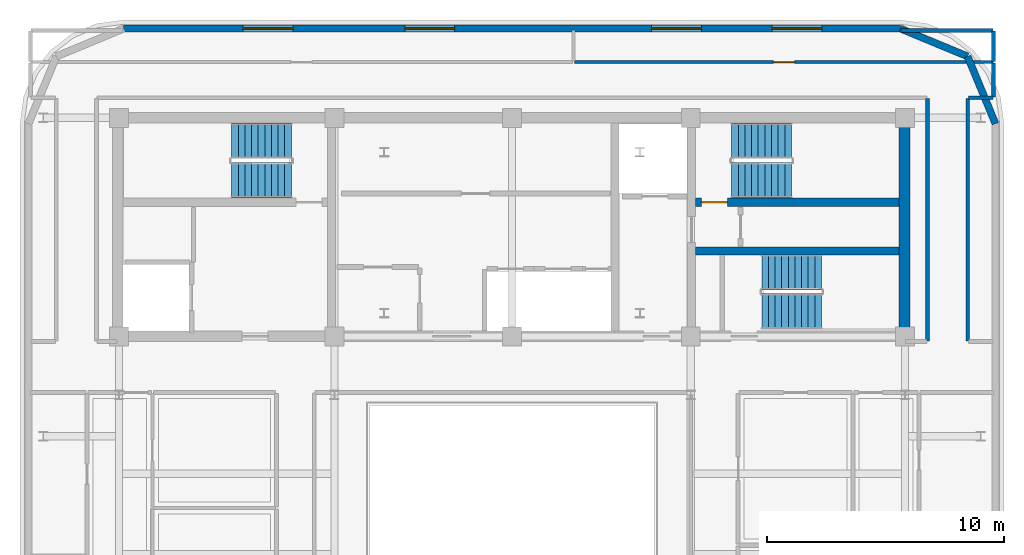
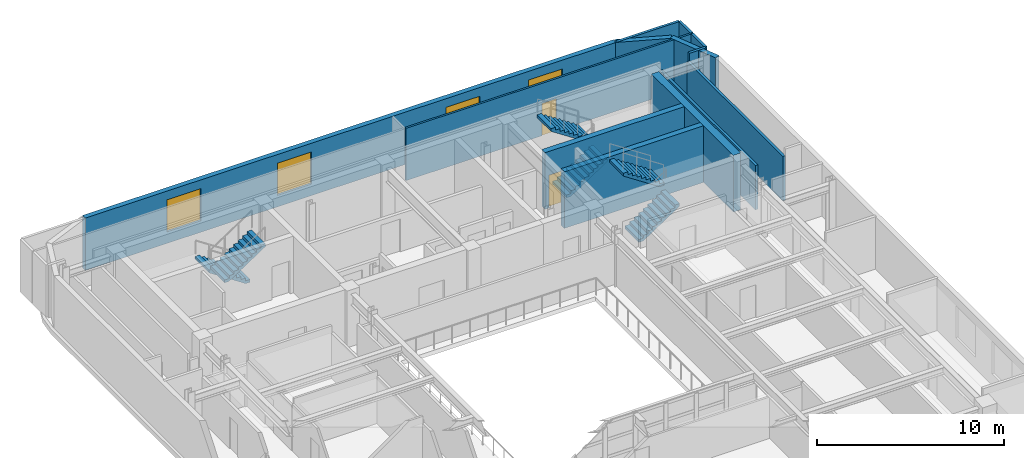
# One storey, part 9 of 12: 13 walls, 6 stair flights, 4 windows, 2 doors, 6 openings, 3 elements without a shape of their own.
"""IFC4 building model written with IfcOpenShell, lengths in metres."""

from ifc_helpers import new_model, si_unit, direction, frame, frame_2d, origin, place, context, subcontext, project, spatial, polyline, rectangle, outline, extrude, material, layer, layer_set, type_object, element, fill, aggregate, save


model = new_model("IFC4")

# Units and contexts
model_context = context("Model", 3, precision=1e-05, world=origin(), true_north=direction((0.0, 1.0)))
body_context = subcontext(model_context, "Body", "Model", "MODEL_VIEW")
ifc_project = project(units=[si_unit("LENGTHUNIT", "METRE"), si_unit("AREAUNIT", "SQUARE_METRE"), si_unit("VOLUMEUNIT", "CUBIC_METRE"), si_unit("PLANEANGLEUNIT", "RADIAN"), si_unit("MASSUNIT", "GRAM", prefix="KILO")], contexts=[model_context])

# Site, building, storey
site_placement = place(None, origin())
site = spatial("IfcSite", under=ifc_project, at=site_placement, CompositionType="ELEMENT")
building_placement = place(site_placement, origin())
building = spatial("IfcBuilding", under=site, at=building_placement, Name="Zarnavel Station Tower", CompositionType="ELEMENT")
storey_placement = place(building_placement, frame((0.0, 0.0, 269.5)))
storey = spatial("IfcBuildingStorey", under=building, at=storey_placement, Name="L73", CompositionType="ELEMENT", Elevation=269.5)

# Wall, opening, door
ifc_material_1 = material(Name="Concrete C50/60", Category="concrete")
ifc_layer_1 = layer(ifc_material_1, 0.35009765625)
ifc_layer_set_1 = layer_set([ifc_layer_1], Name="CW_350")
wall_type_1 = type_object("IfcWallType", Name="CW_350", PredefinedType="SHEAR", material=ifc_layer_set_1)
wall_1_placement = place(storey_placement, frame((45.155029296875, 33.47998046875, 0.0), z_axis=(0.0, 0.0, 1.0), x_axis=(-1.0, 0.0, 0.0)))
wall_1 = element("IfcWall", 1, at=wall_1_placement, inside=storey, type_object=wall_type_1, Name="L73 Rear Core Shear Wall DIV-H2", PredefinedType="SHEAR", context=body_context, shape_type="SweptSolid", body=[
    extrude(rectangle(XDim=8.60009765625, YDim=0.35009765625, at=frame_2d((4.300048828125, 0.0))), origin(), (0.0, 0.0, 1.0), 3.699951171875),
])
opening_1_placement = place(wall_1_placement, frame((7.2548828125, 0.0, 0.0)))
opening_1 = element("IfcOpeningElement", 2, at=opening_1_placement, cuts=wall_1, Name="Opening FD01", PredefinedType="OPENING", context=body_context, shape_type="SweptSolid", body=[
    extrude(rectangle(XDim=1.10009765625, YDim=2.14990234375, at=frame_2d((0.550048828125, 1.074951171875))), frame((0.0, 0.18505859375, 0.0), z_axis=(0.0, -1.0, 0.0), x_axis=(1.0, 0.0, 0.0)), (0.0, 0.0, 1.0), 0.3701171875),
])
ifc_material_2 = material(Name="Painted Galvanised Steel and Hardwood Leaf", Category="steel")
door_type_1 = type_object("IfcDoorType", Name="ID_STAIR_1100", OperationType="NOTDEFINED", PredefinedType="DOOR", material=ifc_material_2)
door_1_placement = place(opening_1_placement, origin())
door_1 = element("IfcDoor", 3, at=door_1_placement, inside=storey, type_object=door_type_1, Name="L73 Stair ST2 Lobby Fire Door", OperationType="SINGLE_SWING_RIGHT", OverallHeight=2.14990234375, OverallWidth=1.10009765625, PredefinedType="DOOR", context=body_context, shape_type="SweptSolid", body=[
    extrude(rectangle(XDim=1.10009765625, YDim=2.14990234375, at=frame_2d((0.550048828125, 1.074951171875))), frame((0.0, 0.02490234375, 0.0), z_axis=(0.0, -1.0, 0.0), x_axis=(1.0, 0.0, 0.0)), (0.0, 0.0, 1.0), 0.050048828125),
])
fill(opening_1, door_1)

# Walls
wall_2_placement = place(storey_placement, frame((36.554931640625, 31.419921875, 0.0), z_axis=(0.0, 0.0, 1.0), x_axis=(1.0, 0.0, 0.0)))
element("IfcWall", 4, at=wall_2_placement, inside=storey, type_object=wall_type_1, Name="L73 Rear Core Shear Wall DIV-H3", PredefinedType="SHEAR", context=body_context, shape_type="SweptSolid", body=[
    extrude(rectangle(XDim=8.60009765625, YDim=0.35009765625, at=frame_2d((4.300048828125, 0.0))), origin(), (0.0, 0.0, 1.0), 3.699951171875),
])
ifc_material_3 = material(Name="Concrete C50/60", Category="concrete")
ifc_layer_2 = layer(ifc_material_3, 0.449951171875)
ifc_layer_set_2 = layer_set([ifc_layer_2], Name="CW_450")
wall_type_2 = type_object("IfcWallType", Name="CW_450", PredefinedType="SHEAR", material=ifc_layer_set_2)
wall_3_placement = place(storey_placement, frame((45.3798828125, 28.044921875, 0.0), z_axis=(0.0, 0.0, 1.0), x_axis=(0.0, 1.0, 0.0)))
element("IfcWall", 5, at=wall_3_placement, inside=storey, type_object=wall_type_2, Name="L73 Rear Core Shear Wall E", PredefinedType="SHEAR", context=body_context, shape_type="SweptSolid", body=[
    extrude(rectangle(XDim=8.780029296875, YDim=0.449951171875, at=frame_2d((4.39013671875, 0.0))), origin(), (0.0, 0.0, 1.0), 3.699951171875),
])
ifc_material_4 = material(Name="Precast concrete C45/55 (Dark Basalt Finish)", Category="masonry")
ifc_layer_3 = layer(ifc_material_4, 0.300048828125)
ifc_layer_set_3 = layer_set([ifc_layer_3], Name="EW_BASALT_300")
wall_type_3 = type_object("IfcWallType", Name="EW_BASALT_300", PredefinedType="SOLIDWALL", material=ifc_layer_set_3)
for number, where, z_axis, x_axis, name in (
    (6, (48.04248046875, 39.642578125, 0.0), (0.0, 0.0, 1.0), (0.382704529509, -0.923870793506, 0.0), "L73 Exterior Basalt Masonry Frame Wall 04"),
    (7, (45.199951171875, 40.820068359375, 0.0), (0.0, 0.0, 1.0), (0.923870793506, -0.382704529509, 0.0), "L73 Exterior Basalt Masonry Frame Wall 05"),
):
    element("IfcWall", number, at=place(storey_placement, frame(where, z_axis=z_axis, x_axis=x_axis)), inside=storey, type_object=wall_type_3, Name=name, PredefinedType="SOLIDWALL", context=body_context, shape_type="SweptSolid", body=[
        extrude(rectangle(XDim=3.07666015625, YDim=0.300048828125, at=frame_2d((1.538330078125, 0.0))), origin(), (0.0, 0.0, 1.0), 3.419921875),
    ])

# Wall, openings, windows
wall_4_placement = place(storey_placement, frame((12.39990234375, 40.820068359375, 0.0), z_axis=(0.0, 0.0, 1.0), x_axis=(1.0, 0.0, 0.0)))
wall_4 = element("IfcWall", 8, at=wall_4_placement, inside=storey, type_object=wall_type_3, Name="L73 Exterior Basalt Masonry Frame Wall 06", PredefinedType="SOLIDWALL", context=body_context, shape_type="SweptSolid", body=[
    extrude(rectangle(XDim=32.800048828125, YDim=0.300048828125, at=frame_2d((16.39990234375, 0.0))), origin(), (0.0, 0.0, 1.0), 3.419921875),
])
opening_2_placement = place(wall_4_placement, frame((5.046630859375, 0.0, 0.75)))
opening_2 = element("IfcOpeningElement", 9, at=opening_2_placement, cuts=wall_4, Name="Opening WN05", PredefinedType="OPENING", context=body_context, shape_type="SweptSolid", body=[
    extrude(rectangle(XDim=2.10009765625, YDim=2.10009765625, at=frame_2d((1.050048828125, 1.050048828125))), frame((0.0, 0.159912109375, 0.0), z_axis=(0.0, -1.0, 0.0), x_axis=(1.0, 0.0, 0.0)), (0.0, 0.0, 1.0), 0.320068359375),
])
opening_3_placement = place(wall_4_placement, frame((11.873291015625, 0.0, 0.75)))
opening_3 = element("IfcOpeningElement", 10, at=opening_3_placement, cuts=wall_4, Name="Opening WN05", PredefinedType="OPENING", context=body_context, shape_type="SweptSolid", body=[
    extrude(rectangle(XDim=2.10009765625, YDim=2.10009765625, at=frame_2d((1.050048828125, 1.050048828125))), frame((0.0, 0.159912109375, 0.0), z_axis=(0.0, -1.0, 0.0), x_axis=(1.0, 0.0, 0.0)), (0.0, 0.0, 1.0), 0.320068359375),
])
opening_4_placement = place(wall_4_placement, frame((22.293212890625, 0.0, 0.75)))
opening_4 = element("IfcOpeningElement", 11, at=opening_4_placement, cuts=wall_4, Name="Opening WN05", PredefinedType="OPENING", context=body_context, shape_type="SweptSolid", body=[
    extrude(rectangle(XDim=2.10009765625, YDim=2.10009765625, at=frame_2d((1.050048828125, 1.050048828125))), frame((0.0, 0.159912109375, 0.0), z_axis=(0.0, -1.0, 0.0), x_axis=(1.0, 0.0, 0.0)), (0.0, 0.0, 1.0), 0.320068359375),
])
opening_5_placement = place(wall_4_placement, frame((27.38671875, 0.0, 0.75)))
opening_5 = element("IfcOpeningElement", 12, at=opening_5_placement, cuts=wall_4, Name="Opening WN05", PredefinedType="OPENING", context=body_context, shape_type="SweptSolid", body=[
    extrude(rectangle(XDim=2.10009765625, YDim=2.10009765625, at=frame_2d((1.050048828125, 1.050048828125))), frame((0.0, 0.159912109375, 0.0), z_axis=(0.0, -1.0, 0.0), x_axis=(1.0, 0.0, 0.0)), (0.0, 0.0, 1.0), 0.320068359375),
])
ifc_material_5 = material(Name="Thermally Broken Black Aluminium and Low-E Dark Glass", Category="aluminium")
window_type = type_object("IfcWindowType", Name="WN_2100x2100", PartitioningType="TRIPLE_PANEL_VERTICAL", PredefinedType="WINDOW", material=ifc_material_5)
window_1_placement = place(opening_2_placement, origin())
window_1 = element("IfcWindow", 13, at=window_1_placement, inside=storey, type_object=window_type, Name="L73 Recessed Facade Window 01", OverallHeight=2.10009765625, OverallWidth=2.10009765625, PartitioningType="SINGLE_PANEL", PredefinedType="WINDOW", context=body_context, shape_type="SweptSolid", body=[
    extrude(rectangle(XDim=2.10009765625, YDim=2.10009765625, at=frame_2d((1.050048828125, 1.050048828125))), frame((0.0, 0.030029296875, 0.0), z_axis=(0.0, -1.0, 0.0), x_axis=(1.0, 0.0, 0.0)), (0.0, 0.0, 1.0), 0.06005859375),
])
fill(opening_2, window_1)
window_2_placement = place(opening_3_placement, origin())
window_2 = element("IfcWindow", 14, at=window_2_placement, inside=storey, type_object=window_type, Name="L73 Recessed Facade Window 02", OverallHeight=2.10009765625, OverallWidth=2.10009765625, PartitioningType="SINGLE_PANEL", PredefinedType="WINDOW", context=body_context, shape_type="SweptSolid", body=[
    extrude(rectangle(XDim=2.10009765625, YDim=2.10009765625, at=frame_2d((1.050048828125, 1.050048828125))), frame((0.0, 0.030029296875, 0.0), z_axis=(0.0, -1.0, 0.0), x_axis=(1.0, 0.0, 0.0)), (0.0, 0.0, 1.0), 0.06005859375),
])
fill(opening_3, window_2)
window_3_placement = place(opening_4_placement, origin())
window_3 = element("IfcWindow", 15, at=window_3_placement, inside=storey, type_object=window_type, Name="L73 Recessed Facade Window 03", OverallHeight=2.10009765625, OverallWidth=2.10009765625, PartitioningType="SINGLE_PANEL", PredefinedType="WINDOW", context=body_context, shape_type="SweptSolid", body=[
    extrude(rectangle(XDim=2.10009765625, YDim=2.10009765625, at=frame_2d((1.050048828125, 1.050048828125))), frame((0.0, 0.030029296875, 0.0), z_axis=(0.0, -1.0, 0.0), x_axis=(1.0, 0.0, 0.0)), (0.0, 0.0, 1.0), 0.06005859375),
])
fill(opening_4, window_3)
window_4_placement = place(opening_5_placement, origin())
window_4 = element("IfcWindow", 16, at=window_4_placement, inside=storey, type_object=window_type, Name="L73 Recessed Facade Window 04", OverallHeight=2.10009765625, OverallWidth=2.10009765625, PartitioningType="SINGLE_PANEL", PredefinedType="WINDOW", context=body_context, shape_type="SweptSolid", body=[
    extrude(rectangle(XDim=2.10009765625, YDim=2.10009765625, at=frame_2d((1.050048828125, 1.050048828125))), frame((0.0, 0.030029296875, 0.0), z_axis=(0.0, -1.0, 0.0), x_axis=(1.0, 0.0, 0.0)), (0.0, 0.0, 1.0), 0.06005859375),
])
fill(opening_5, window_4)

# Walls
ifc_material_6 = material(Name="Gypsum Twin-Stud Acoustic Fire Partition", Category="concrete")
ifc_layer_4 = layer(ifc_material_6, 0.159912109375)
ifc_layer_set_4 = layer_set([ifc_layer_4], Name="PT_DEMISE_160")
wall_type_4 = type_object("IfcWallType", Name="PT_DEMISE_160", PredefinedType="PARTITIONING", material=ifc_layer_set_4)
for number, where, z_axis, x_axis, name in (
    (17, (46.35009765625, 27.6298828125, 0.0), (0.0, 0.0, 1.0), (0.0, 1.0, 0.0), "L73 Enclosure Wall COR-E"),
    (18, (48.050048828125, 27.6298828125, 0.0), (0.0, 0.0, 1.0), (0.0, 1.0, 0.0), "L73 Enclosure Wall COR-E"),
):
    element("IfcWall", number, at=place(storey_placement, frame(where, z_axis=z_axis, x_axis=x_axis)), inside=storey, type_object=wall_type_4, Name=name, PredefinedType="PARTITIONING", context=body_context, shape_type="SweptSolid", body=[
        extrude(rectangle(XDim=10.240234375, YDim=0.159912109375, at=frame_2d((5.1201171875, 0.0))), origin(), (0.0, 0.0, 1.0), 2.89990234375),
    ])
wall_5_placement = place(storey_placement, frame((48.080078125, 37.89990234375, 0.0), z_axis=(0.0, 0.0, 1.0), x_axis=(1.0, 0.0, 0.0)))
element("IfcWall", 19, at=wall_5_placement, inside=storey, type_object=wall_type_4, Name="L73 Enclosure Wall COR-N", PredefinedType="PARTITIONING", context=body_context, shape_type="SweptSolid", body=[
    extrude(rectangle(XDim=1.030029296875, YDim=0.159912109375, at=frame_2d((0.51513671875, 0.0))), origin(), (0.0, 0.0, 1.0), 3.419921875),
])
wall_6_placement = place(storey_placement, frame((49.139892578125, 37.929931640625, 0.0), z_axis=(0.0, 0.0, 1.0), x_axis=(0.0, 1.0, 0.0)))
element("IfcWall", 20, at=wall_6_placement, inside=storey, type_object=wall_type_4, Name="L73 Enclosure Wall COR-N", PredefinedType="PARTITIONING", context=body_context, shape_type="SweptSolid", body=[
    extrude(rectangle(XDim=1.440185546875, YDim=0.159912109375, at=frame_2d((0.72021484375, 0.0))), origin(), (0.0, 0.0, 1.0), 3.419921875),
])
wall_7_placement = place(storey_placement, frame((45.22998046875, 40.739990234375, 0.0), z_axis=(0.0, 0.0, 1.0), x_axis=(1.0, 0.0, 0.0)))
element("IfcWall", 21, at=wall_7_placement, inside=storey, type_object=wall_type_4, Name="L73 Enclosure Wall NBRD", PredefinedType="PARTITIONING", context=body_context, shape_type="SweptSolid", body=[
    extrude(rectangle(XDim=3.880126953125, YDim=0.159912109375, at=frame_2d((1.93994140625, 0.0))), origin(), (0.0, 0.0, 1.0), 3.419921875),
])
wall_8_placement = place(storey_placement, frame((49.139892578125, 39.429931640625, 0.0), z_axis=(0.0, 0.0, 1.0), x_axis=(0.0, 1.0, 0.0)))
element("IfcWall", 22, at=wall_8_placement, inside=storey, type_object=wall_type_4, Name="L73 Enclosure Wall NBRD", PredefinedType="PARTITIONING", context=body_context, shape_type="SweptSolid", body=[
    extrude(rectangle(XDim=1.280029296875, YDim=0.159912109375, at=frame_2d((0.64013671875, 0.0))), origin(), (0.0, 0.0, 1.0), 3.419921875),
])

# Wall, opening, door
ifc_material_7 = material(Name="Gypsum Metal-Stud Interior Partition", Category="concrete")
ifc_layer_5 = layer(ifc_material_7, 0.1201171875)
ifc_layer_set_5 = layer_set([ifc_layer_5], Name="PT_ROOM_120")
wall_type_5 = type_object("IfcWallType", Name="PT_ROOM_120", PredefinedType="PARTITIONING", material=ifc_layer_set_5)
wall_9_placement = place(storey_placement, frame((31.43994140625, 39.39990234375, 0.0), z_axis=(0.0, 0.0, 1.0), x_axis=(1.0, 0.0, 0.0)))
wall_9 = element("IfcWall", 23, at=wall_9_placement, inside=storey, type_object=wall_type_5, Name="L73 Partition COR-N-NBRD", PredefinedType="PARTITIONING", context=body_context, shape_type="SweptSolid", body=[
    extrude(rectangle(XDim=17.699951171875, YDim=0.1201171875, at=frame_2d((8.85009765625, 0.0))), origin(), (0.0, 0.0, 1.0), 3.419921875),
])
opening_6_placement = place(wall_9_placement, frame((8.39990234375, 0.0, 0.0)))
opening_6 = element("IfcOpeningElement", 24, at=opening_6_placement, cuts=wall_9, Name="Opening ID01", PredefinedType="OPENING", context=body_context, shape_type="SweptSolid", body=[
    extrude(rectangle(XDim=0.89990234375, YDim=2.10009765625, at=frame_2d((0.449951171875, 1.050048828125))), frame((0.0, 0.070068359375, 0.0), z_axis=(0.0, -1.0, 0.0), x_axis=(1.0, 0.0, 0.0)), (0.0, 0.0, 1.0), 0.14013671875),
])
ifc_material_8 = material(Name="Painted Galvanised Steel and Hardwood Leaf", Category="steel")
door_type_2 = type_object("IfcDoorType", Name="ID_ROOM_900", OperationType="NOTDEFINED", PredefinedType="DOOR", material=ifc_material_8)
door_2_placement = place(opening_6_placement, origin())
door_2 = element("IfcDoor", 25, at=door_2_placement, inside=storey, type_object=door_type_2, Name="L73 Door COR-N-NBRD", OperationType="SINGLE_SWING_LEFT", OverallHeight=2.10009765625, OverallWidth=0.89990234375, PredefinedType="DOOR", context=body_context, shape_type="SweptSolid", body=[
    extrude(rectangle(XDim=0.89990234375, YDim=2.10009765625, at=frame_2d((0.449951171875, 1.050048828125))), frame((0.0, 0.02490234375, 0.0), z_axis=(0.0, -1.0, 0.0), x_axis=(1.0, 0.0, 0.0)), (0.0, 0.0, 1.0), 0.050048828125),
])
fill(opening_6, door_2)

# Stair, stair flights
ifc_material_9 = material(Name="Concrete C45/55", Category="concrete")
stair_type = type_object("IfcStairType", Name="ST_CORE_150", PredefinedType="HALF_TURN_STAIR", material=ifc_material_9)
stair_1_placement = place(storey_placement, origin())
stair_1 = element("IfcStair", 26, at=stair_1_placement, inside=storey, type_object=stair_type, Name="L73 Core Exit Stair ST1", PredefinedType="HALF_TURN_STAIR")
ifc_material_10 = material(Name="Concrete C45/55", Category="concrete")
ifc_layer_6 = layer(ifc_material_10, 0.179931640625)
ifc_layer_set_6 = layer_set([ifc_layer_6], Name="ST_CORE_150_FLT")
stair_flight_type = type_object("IfcStairFlightType", Name="ST_CORE_150_FLT", PredefinedType="STRAIGHT", material=ifc_layer_set_6)
stair_flight_1_placement = place(storey_placement, frame((19.47998046875, 36.070068359375, 0.0), z_axis=(0.0, 0.0, 1.0), x_axis=(-1.0, 0.0, 0.0)))
stair_flight_1 = element("IfcStairFlight", 27, at=stair_flight_1_placement, type_object=stair_flight_type, Name="ST1 flight 1", NumberOfRisers=10, NumberOfTreads=9, PredefinedType="STRAIGHT", RiserHeight=0.185, TreadLength=0.28, context=body_context, shape_type="SweptSolid", body=[
    extrude(outline(polyline([(0.0, 0.0), (0.0, 0.18505859375), (0.280029296875, 0.18505859375), (0.280029296875, 0.3701171875), (0.56005859375, 0.3701171875), (0.56005859375, 0.554931640625), (0.840087890625, 0.554931640625), (0.840087890625, 0.739990234375), (1.1201171875, 0.739990234375), (1.1201171875, 0.925048828125), (1.39990234375, 0.925048828125), (1.39990234375, 1.110107421875), (1.679931640625, 1.110107421875), (1.679931640625, 1.294921875), (1.9599609375, 1.294921875), (1.9599609375, 1.47998046875), (2.239990234375, 1.47998046875), (2.239990234375, 1.6650390625), (2.52001953125, 1.6650390625), (2.52001953125, 1.85009765625), (2.52001953125, 1.4853515625), (0.27197265625, 0.0), (0.0, 0.0)])), frame((0.0, 0.75, 0.0), z_axis=(0.0, -1.0, 0.0), x_axis=(1.0, 0.0, 0.0)), (0.0, 0.0, 1.0), 1.5),
])
stair_flight_2_placement = place(storey_placement, frame((16.9599609375, 34.409912109375, 1.85009765625), z_axis=(0.0, 0.0, 1.0), x_axis=(1.0, 0.0, 0.0)))
stair_flight_2 = element("IfcStairFlight", 28, at=stair_flight_2_placement, type_object=stair_flight_type, Name="ST1 flight 2", NumberOfRisers=10, NumberOfTreads=9, PredefinedType="STRAIGHT", RiserHeight=0.185, TreadLength=0.28, context=body_context, shape_type="SweptSolid", body=[
    extrude(outline(polyline([(0.0, 0.0), (0.0, 0.18505859375), (0.280029296875, 0.18505859375), (0.280029296875, 0.3701171875), (0.56005859375, 0.3701171875), (0.56005859375, 0.554931640625), (0.840087890625, 0.554931640625), (0.840087890625, 0.739990234375), (1.1201171875, 0.739990234375), (1.1201171875, 0.925048828125), (1.39990234375, 0.925048828125), (1.39990234375, 1.110107421875), (1.679931640625, 1.110107421875), (1.679931640625, 1.294921875), (1.9599609375, 1.294921875), (1.9599609375, 1.47998046875), (2.239990234375, 1.47998046875), (2.239990234375, 1.6650390625), (2.52001953125, 1.6650390625), (2.52001953125, 1.85009765625), (2.52001953125, 1.4853515625), (0.27197265625, 0.0), (0.0, 0.0)])), frame((0.0, 0.75, 0.0), z_axis=(0.0, -1.0, 0.0), x_axis=(1.0, 0.0, 0.0)), (0.0, 0.0, 1.0), 1.5),
])
aggregate(stair_1, [stair_flight_1, stair_flight_2])

stair_2_placement = place(storey_placement, origin())
stair_2 = element("IfcStair", 29, at=stair_2_placement, inside=storey, type_object=stair_type, Name="L73 Core Exit Stair ST2", PredefinedType="HALF_TURN_STAIR")
stair_flight_3_placement = place(storey_placement, frame((38.080078125, 34.409912109375, 0.0), z_axis=(0.0, 0.0, 1.0), x_axis=(1.0, 0.0, 0.0)))
stair_flight_3 = element("IfcStairFlight", 30, at=stair_flight_3_placement, type_object=stair_flight_type, Name="ST2 flight 1", NumberOfRisers=10, NumberOfTreads=9, PredefinedType="STRAIGHT", RiserHeight=0.185, TreadLength=0.28, context=body_context, shape_type="SweptSolid", body=[
    extrude(outline(polyline([(0.0, 0.0), (0.0, 0.18505859375), (0.280029296875, 0.18505859375), (0.280029296875, 0.3701171875), (0.56005859375, 0.3701171875), (0.56005859375, 0.554931640625), (0.840087890625, 0.554931640625), (0.840087890625, 0.739990234375), (1.1201171875, 0.739990234375), (1.1201171875, 0.925048828125), (1.39990234375, 0.925048828125), (1.39990234375, 1.110107421875), (1.679931640625, 1.110107421875), (1.679931640625, 1.294921875), (1.9599609375, 1.294921875), (1.9599609375, 1.47998046875), (2.239990234375, 1.47998046875), (2.239990234375, 1.6650390625), (2.52001953125, 1.6650390625), (2.52001953125, 1.85009765625), (2.52001953125, 1.4853515625), (0.27197265625, 0.0), (0.0, 0.0)])), frame((0.0, 0.75, 0.0), z_axis=(0.0, -1.0, 0.0), x_axis=(1.0, 0.0, 0.0)), (0.0, 0.0, 1.0), 1.5),
])
stair_flight_4_placement = place(storey_placement, frame((40.60009765625, 36.070068359375, 1.85009765625), z_axis=(0.0, 0.0, 1.0), x_axis=(-1.0, 0.0, 0.0)))
stair_flight_4 = element("IfcStairFlight", 31, at=stair_flight_4_placement, type_object=stair_flight_type, Name="ST2 flight 2", NumberOfRisers=10, NumberOfTreads=9, PredefinedType="STRAIGHT", RiserHeight=0.185, TreadLength=0.28, context=body_context, shape_type="SweptSolid", body=[
    extrude(outline(polyline([(0.0, 0.0), (0.0, 0.18505859375), (0.280029296875, 0.18505859375), (0.280029296875, 0.3701171875), (0.56005859375, 0.3701171875), (0.56005859375, 0.554931640625), (0.840087890625, 0.554931640625), (0.840087890625, 0.739990234375), (1.1201171875, 0.739990234375), (1.1201171875, 0.925048828125), (1.39990234375, 0.925048828125), (1.39990234375, 1.110107421875), (1.679931640625, 1.110107421875), (1.679931640625, 1.294921875), (1.9599609375, 1.294921875), (1.9599609375, 1.47998046875), (2.239990234375, 1.47998046875), (2.239990234375, 1.6650390625), (2.52001953125, 1.6650390625), (2.52001953125, 1.85009765625), (2.52001953125, 1.4853515625), (0.27197265625, 0.0), (0.0, 0.0)])), frame((0.0, 0.75, 0.0), z_axis=(0.0, -1.0, 0.0), x_axis=(1.0, 0.0, 0.0)), (0.0, 0.0, 1.0), 1.5),
])
aggregate(stair_2, [stair_flight_3, stair_flight_4])

stair_3_placement = place(storey_placement, origin())
stair_3 = element("IfcStair", 32, at=stair_3_placement, inside=storey, type_object=stair_type, Name="L73 Core Exit Stair ST3", PredefinedType="HALF_TURN_STAIR")
stair_flight_5_placement = place(storey_placement, frame((39.35009765625, 28.8701171875, 0.0), z_axis=(0.0, 0.0, 1.0), x_axis=(1.0, 0.0, 0.0)))
stair_flight_5 = element("IfcStairFlight", 33, at=stair_flight_5_placement, type_object=stair_flight_type, Name="ST3 flight 1", NumberOfRisers=10, NumberOfTreads=9, PredefinedType="STRAIGHT", RiserHeight=0.185, TreadLength=0.28, context=body_context, shape_type="SweptSolid", body=[
    extrude(outline(polyline([(0.0, 0.0), (0.0, 0.18505859375), (0.280029296875, 0.18505859375), (0.280029296875, 0.3701171875), (0.56005859375, 0.3701171875), (0.56005859375, 0.554931640625), (0.840087890625, 0.554931640625), (0.840087890625, 0.739990234375), (1.1201171875, 0.739990234375), (1.1201171875, 0.925048828125), (1.39990234375, 0.925048828125), (1.39990234375, 1.110107421875), (1.679931640625, 1.110107421875), (1.679931640625, 1.294921875), (1.9599609375, 1.294921875), (1.9599609375, 1.47998046875), (2.239990234375, 1.47998046875), (2.239990234375, 1.6650390625), (2.52001953125, 1.6650390625), (2.52001953125, 1.85009765625), (2.52001953125, 1.4853515625), (0.27197265625, 0.0), (0.0, 0.0)])), frame((0.0, 0.75, 0.0), z_axis=(0.0, -1.0, 0.0), x_axis=(1.0, 0.0, 0.0)), (0.0, 0.0, 1.0), 1.5),
])
stair_flight_6_placement = place(storey_placement, frame((41.8701171875, 30.530029296875, 1.85009765625), z_axis=(0.0, 0.0, 1.0), x_axis=(-1.0, 0.0, 0.0)))
stair_flight_6 = element("IfcStairFlight", 34, at=stair_flight_6_placement, type_object=stair_flight_type, Name="ST3 flight 2", NumberOfRisers=10, NumberOfTreads=9, PredefinedType="STRAIGHT", RiserHeight=0.185, TreadLength=0.28, context=body_context, shape_type="SweptSolid", body=[
    extrude(outline(polyline([(0.0, 0.0), (0.0, 0.18505859375), (0.280029296875, 0.18505859375), (0.280029296875, 0.3701171875), (0.56005859375, 0.3701171875), (0.56005859375, 0.554931640625), (0.840087890625, 0.554931640625), (0.840087890625, 0.739990234375), (1.1201171875, 0.739990234375), (1.1201171875, 0.925048828125), (1.39990234375, 0.925048828125), (1.39990234375, 1.110107421875), (1.679931640625, 1.110107421875), (1.679931640625, 1.294921875), (1.9599609375, 1.294921875), (1.9599609375, 1.47998046875), (2.239990234375, 1.47998046875), (2.239990234375, 1.6650390625), (2.52001953125, 1.6650390625), (2.52001953125, 1.85009765625), (2.52001953125, 1.4853515625), (0.27197265625, 0.0), (0.0, 0.0)])), frame((0.0, 0.75, 0.0), z_axis=(0.0, -1.0, 0.0), x_axis=(1.0, 0.0, 0.0)), (0.0, 0.0, 1.0), 1.5),
])
aggregate(stair_3, [stair_flight_5, stair_flight_6])

save(model, "model.ifc")
